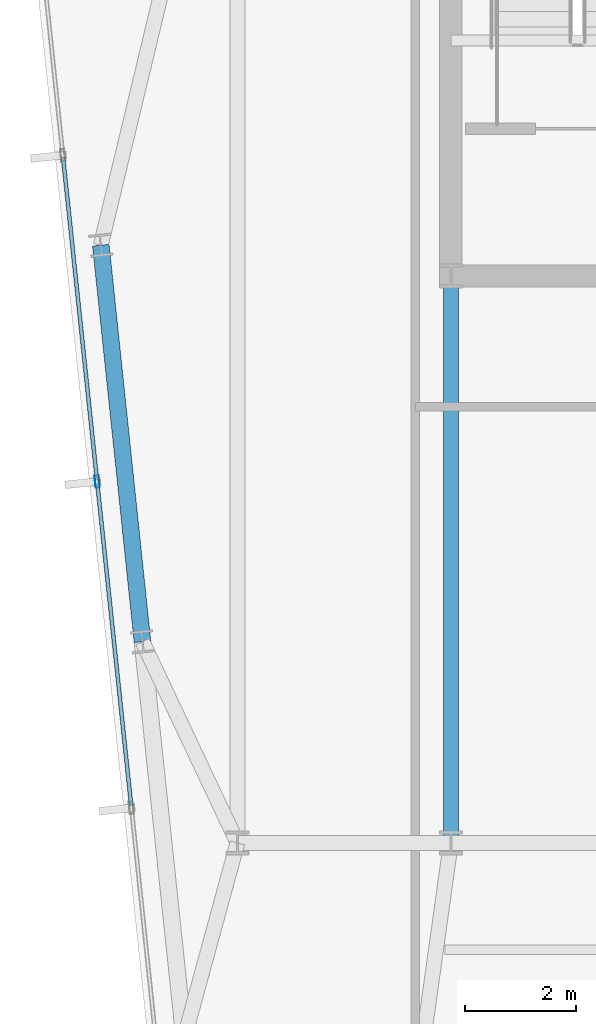
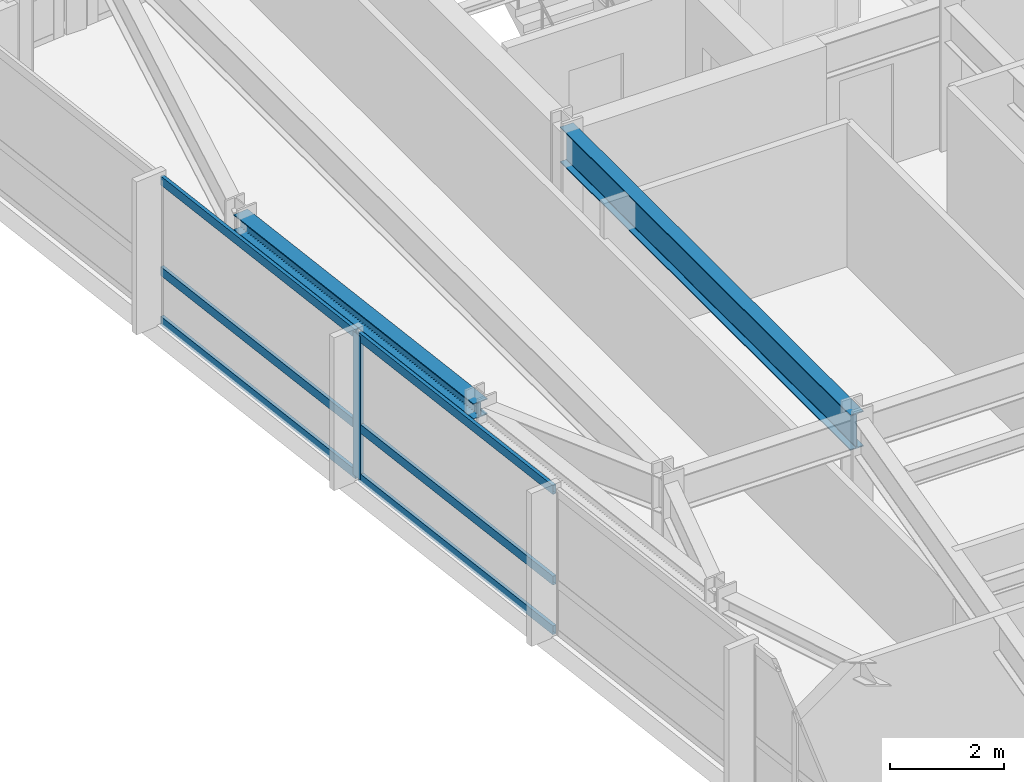
# One storey, part 6 of 26: 7 members, 2 beams, 1 element without a shape of its own.
"""IFC4 building model written with IfcOpenShell, lengths in metres."""

import ifcopenshell
import ifcopenshell.guid

model = None  # the IFC model being written
_history = None  # IfcOwnerHistory: only IFC2X3 demands one
_inside = {}  # id of a spatial element -> (the spatial element, [elements in it])
_under = {}  # id of a project, library or spatial element -> (it, [spatial elements below it])
_declared = {}  # id of a project -> (the project, [libraries it declares])
_typed = {}  # id of a type object -> (the type object, [elements of that type])
_made_of = {}  # id of a material, layer set ... -> (it, [elements and type objects made of it])


def new_model(schema):
    """Start an empty IFC model of exactly this schema.

    Asked for "IFC4X3", IfcOpenShell would pick the latest addendum, in which some entities
    have other attributes; the version numbers below select the first issue.
    IFC2X3 requires an IfcOwnerHistory on every rooted entity: one is made here for all.
    """
    global model, _history
    if schema == "IFC4X3":
        model = ifcopenshell.file(schema_version=(4, 3, 0, 0))
    else:
        model = ifcopenshell.file(schema=schema)
    _inside.clear()
    _under.clear()
    _declared.clear()
    _typed.clear()
    _made_of.clear()
    _history = None
    if model.schema == "IFC2X3":
        org = make("IfcOrganization", Name="unknown")
        user = make(
            "IfcPersonAndOrganization",
            ThePerson=make("IfcPerson", FamilyName="unknown"),
            TheOrganization=org,
        )
        app = make(
            "IfcApplication",
            ApplicationDeveloper=org,
            Version="unknown",
            ApplicationFullName="unknown",
            ApplicationIdentifier="unknown",
        )
        _history = make(
            "IfcOwnerHistory",
            OwningUser=user,
            OwningApplication=app,
            ChangeAction="ADDED",
            CreationDate=0,
        )
    return model


def make(cls, **values):
    """One entity of the class cls with the attributes given. An attribute that is None is left unset."""
    return model.create_entity(
        cls, **{name: value for name, value in values.items() if value is not None}
    )


def rooted(cls, **values):
    """An entity with a GlobalId (a new one), such as an element, a storey or a relation."""
    return make(cls, GlobalId=ifcopenshell.guid.new(), OwnerHistory=_history, **values)


def si_unit(unit_type, name, prefix=None):
    """IfcSIUnit, for example si_unit("LENGTHUNIT", "METRE", prefix="MILLI")."""
    return make("IfcSIUnit", UnitType=unit_type, Prefix=prefix, Name=name)


def assignment(units):
    """IfcUnitAssignment: the units of a project."""
    return None if units is None else make("IfcUnitAssignment", Units=units)


def point(xyz):
    """IfcCartesianPoint."""
    return None if xyz is None else make("IfcCartesianPoint", Coordinates=xyz)


def direction(xyz):
    """IfcDirection."""
    return None if xyz is None else make("IfcDirection", DirectionRatios=xyz)


def frame(location, z_axis=None, x_axis=None):
    """IfcAxis2Placement3D, a coordinate frame: its origin and axes. An axis left out is left unset."""
    return make(
        "IfcAxis2Placement3D",
        Location=point(location),
        Axis=direction(z_axis),
        RefDirection=direction(x_axis),
    )


def frame_2d(location, x_axis=None):
    """IfcAxis2Placement2D, a coordinate frame in the plane: its origin and x axis."""
    return make(
        "IfcAxis2Placement2D", Location=point(location), RefDirection=direction(x_axis)
    )


def origin():
    """The frame at (0, 0, 0) with its axes left unset."""
    return frame((0.0, 0.0, 0.0))


def origin_2d():
    """The frame at (0, 0) in the plane with its x axis left unset."""
    return frame_2d((0.0, 0.0))


def place(relative_to, where):
    """IfcLocalPlacement: puts the frame where relative to a parent placement (None: the world)."""
    return make(
        "IfcLocalPlacement", PlacementRelTo=relative_to, RelativePlacement=where
    )


def context(
    kind, dimensions, precision=None, world=None, true_north=None, identifier=None
):
    """IfcGeometricRepresentationContext, for example the 3D "Model" context."""
    return make(
        "IfcGeometricRepresentationContext",
        ContextIdentifier=identifier,
        ContextType=kind,
        CoordinateSpaceDimension=dimensions,
        Precision=precision,
        WorldCoordinateSystem=world,
        TrueNorth=true_north,
    )


def subcontext(parent, identifier, kind, view, scale=None):
    """IfcGeometricRepresentationSubContext, for example "Body" below "Model"."""
    return make(
        "IfcGeometricRepresentationSubContext",
        ContextIdentifier=identifier,
        ContextType=kind,
        ParentContext=parent,
        TargetScale=scale,
        TargetView=view,
    )


def project(units=None, contexts=None):
    """IfcProject with its units and contexts."""
    return rooted(
        "IfcProject",
        Name="project",
        RepresentationContexts=contexts,
        UnitsInContext=assignment(units),
    )


def spatial(cls, under=None, at=None, **own):
    """A site, building, storey or space (cls), placed at a placement, below another one or the project."""
    s = rooted(cls, ObjectPlacement=at, **own)
    if under is not None:
        _under.setdefault(under.id(), (under, []))[1].append(s)
    return s


def profile(cls, at=None, kind="AREA", **sizes):
    """A parametric profile (cls). Its sizes go by their IFC names, for example OverallWidth=200.0."""
    return make(cls, ProfileType=kind, Position=at, **sizes)


def hollow_rectangle(**sizes):
    """IfcRectangleHollowProfileDef."""
    return profile("IfcRectangleHollowProfileDef", **sizes)


def i_section(**sizes):
    """IfcIShapeProfileDef."""
    return profile("IfcIShapeProfileDef", **sizes)


def extrude(swept, where, along, depth):
    """IfcExtrudedAreaSolid: the profile swept, set in the frame where, extruded along a direction by depth."""
    return make(
        "IfcExtrudedAreaSolid",
        SweptArea=swept,
        Position=where,
        ExtrudedDirection=direction(along),
        Depth=depth,
    )


def shape(context_of_items, identifier, shape_type, items):
    """IfcShapeRepresentation: the items that make up one representation, for example the "Body"."""
    return make(
        "IfcShapeRepresentation",
        ContextOfItems=context_of_items,
        RepresentationIdentifier=identifier,
        RepresentationType=shape_type,
        Items=items,
    )


def material(Name=None, Category=None):
    """IfcMaterial."""
    return make("IfcMaterial", Name=Name, Category=Category)


def material_profile(
    of_material, cross_section, Name=None, Category=None, Priority=None
):
    """IfcMaterialProfile: a cross section and its material."""
    return make(
        "IfcMaterialProfile",
        Name=Name,
        Material=of_material,
        Profile=cross_section,
        Priority=Priority,
        Category=Category,
    )


def profile_set(profiles, Name=None, composite=None):
    """IfcMaterialProfileSet."""
    return make(
        "IfcMaterialProfileSet",
        Name=Name,
        MaterialProfiles=profiles,
        CompositeProfile=composite,
    )


def made_of(thing, what):
    """Note that an element or type object is made of a material, layer set ...; save() writes the relation."""
    if what is not None:
        _made_of.setdefault(what.id(), (what, []))[1].append(thing)
    return thing


def type_object(cls, material=None, **own):
    """A type object (cls), such as IfcWallType, which elements share."""
    return made_of(rooted(cls, **own), material)


def element(
    cls,
    number,
    at=None,
    inside=None,
    cuts=None,
    type_object=None,
    material=None,
    context=None,
    identifier="Body",
    shape_type=None,
    held_by="IfcProductDefinitionShape",
    body=None,
    shapes=None,
    **own,
):
    """One element of the class cls, such as IfcWall. Its Tag is "e" and its number.

    at: its placement. inside: the storey or other place that contains it. cuts: it is an
    opening in that element (IfcRelVoidsElement). A single representation is given by context,
    identifier, shape_type and body (its items); several are given by shapes. held_by: the class
    of the entity that holds the representations. save() writes the other relations.
    """
    e = rooted(cls, Tag="e%d" % number, ObjectPlacement=at, **own)
    if body is not None:
        shapes = [shape(context, identifier, shape_type, body)]
    if shapes is not None:
        e.Representation = make(held_by, Representations=shapes)
    if inside is not None:
        _inside.setdefault(inside.id(), (inside, []))[1].append(e)
    if cuts is not None:
        rooted(
            "IfcRelVoidsElement", RelatingBuildingElement=cuts, RelatedOpeningElement=e
        )
    if type_object is not None:
        _typed.setdefault(type_object.id(), (type_object, []))[1].append(e)
    return made_of(e, material)


def aggregate(whole, parts):
    """IfcRelAggregates: a whole, such as a stair, and the parts it consists of."""
    return rooted("IfcRelAggregates", RelatingObject=whole, RelatedObjects=parts)


def save(model, path):
    """Write the relations noted so far, then the file.

    IfcRelAggregates (storeys below a building ...), IfcRelContainedInSpatialStructure (elements
    in a storey), IfcRelDefinesByType, IfcRelAssociatesMaterial and IfcRelDeclares: one each for
    every whole, place, type object, material and project.
    """
    for whole, parts in _under.values():
        aggregate(whole, parts)
    for where, things in _inside.values():
        rooted(
            "IfcRelContainedInSpatialStructure",
            RelatedElements=things,
            RelatingStructure=where,
        )
    for kind, things in _typed.values():
        rooted("IfcRelDefinesByType", RelatedObjects=things, RelatingType=kind)
    for what, things in _made_of.values():
        rooted("IfcRelAssociatesMaterial", RelatedObjects=things, RelatingMaterial=what)
    for by, libraries in _declared.values():
        rooted("IfcRelDeclares", RelatingContext=by, RelatedDefinitions=libraries)
    model.write(path)


model = new_model("IFC4")

# Units and contexts
model_context = context("Model", 3, precision=1e-05, world=origin(), true_north=direction((0.0, 1.0)))
body_context = subcontext(model_context, "Body", "Model", "MODEL_VIEW")
ifc_project = project(units=[si_unit("LENGTHUNIT", "METRE"), si_unit("AREAUNIT", "SQUARE_METRE"), si_unit("VOLUMEUNIT", "CUBIC_METRE"), si_unit("PLANEANGLEUNIT", "RADIAN"), si_unit("MASSUNIT", "GRAM", prefix="KILO")], contexts=[model_context])

# Site, building, storey
site_placement = place(None, origin())
site = spatial("IfcSite", under=ifc_project, at=site_placement, CompositionType="ELEMENT")
building_placement = place(site_placement, origin())
building = spatial("IfcBuilding", under=site, at=building_placement, Name="Yelkora Congress Tower", CompositionType="ELEMENT")
storey_placement = place(building_placement, frame((0.0, 0.0, 204.5)))
storey = spatial("IfcBuildingStorey", under=building, at=storey_placement, Name="L56", CompositionType="ELEMENT", Elevation=204.5)

# Beams
ifc_material_1 = material(Name="Steel S355J2", Category="steel")
ifc_material_profile_1 = material_profile(ifc_material_1, i_section(OverallWidth=0.26708984375, OverallDepth=0.761962890625, WebThickness=0.014404296875, FlangeThickness=0.021484375, FilletRadius=0.01708984375, at=origin_2d()), Name="IPE 750x173")
ifc_profile_set_1 = profile_set([ifc_material_profile_1], Name="Steel S355J2")
beam_type_1 = type_object("IfcBeamType", Name="BM-GIRD-IPE750", PredefinedType="BEAM", material=ifc_profile_set_1)
beam_1_placement = place(storey_placement, frame((23.0400390625, 25.199951171875, 2.698974609375), z_axis=(0.0, 1.0, 0.0), x_axis=(-1.0, 0.0, 0.0)))
element("IfcBeam", 1, at=beam_1_placement, inside=storey, type_object=beam_type_1, Name="L56 Core Tie Girder MC-D1", PredefinedType="BEAM", context=body_context, shape_type="SweptSolid", body=[
    extrude(i_section(OverallWidth=0.26708984375, OverallDepth=0.761962890625, WebThickness=0.014404296875, FlangeThickness=0.021484375, FilletRadius=0.01708984375, at=origin_2d()), origin(), (0.0, 0.0, 1.0), 10.199951171875),
])
ifc_material_profile_2 = material_profile(ifc_material_1, i_section(OverallWidth=0.300048828125, OverallDepth=0.340087890625, WebThickness=0.011962890625, FlangeThickness=0.021484375, FilletRadius=0.027099609375, at=origin_2d()), Name="HEB 340")
ifc_profile_set_2 = profile_set([ifc_material_profile_2], Name="Steel S355J2")
beam_type_2 = type_object("IfcBeamType", Name="BM-SPAN-HEB340", PredefinedType="SPANDREL", material=ifc_profile_set_2)
beam_2_placement = place(storey_placement, frame((16.7412109375, 35.95458984375, 2.909912109375), z_axis=(0.104528914631, -0.994521847928, 0.0), x_axis=(0.994521847928, 0.104528914631, 0.0)))
element("IfcBeam", 2, at=beam_2_placement, inside=storey, type_object=beam_type_2, Name="L56 Perimeter Beam 17", PredefinedType="SPANDREL", context=body_context, shape_type="SweptSolid", body=[
    extrude(i_section(OverallWidth=0.300048828125, OverallDepth=0.340087890625, WebThickness=0.011962890625, FlangeThickness=0.021484375, FilletRadius=0.027099609375, at=origin_2d()), origin(), (0.0, 0.0, 1.0), 7.175048828125),
])

# Curtain wall, members
ifc_material_2 = material(Name="Anodised aluminium and insulated glass", Category="aluminium")
curtain_wall_type = type_object("IfcCurtainWallType", Name="CW-SYS-SKY", PredefinedType="NOTDEFINED", material=ifc_material_2)
curtain_wall_placement = place(storey_placement, origin())
curtain_wall = element("IfcCurtainWall", 3, at=curtain_wall_placement, inside=storey, type_object=curtain_wall_type, Name="L56 Unitised Curtain Wall 5", PredefinedType="NOTDEFINED")
ifc_material_3 = material(Name="Anodised aluminium 6063-T6", Category="aluminium")
ifc_material_profile_3 = material_profile(ifc_material_3, hollow_rectangle(XDim=0.074951171875, YDim=0.219970703125, WallThickness=0.0048828125, at=origin_2d()), Name="ALU 75x220x5")
ifc_profile_set_3 = profile_set([ifc_material_profile_3], Name="Anodised aluminium 6063-T6")
member_type_1 = type_object("IfcMemberType", Name="MEM-ML-SKY", PredefinedType="MULLION", material=ifc_profile_set_3)
member_1_placement = place(storey_placement, frame((16.67529296875, 31.701416015625, 0.0), z_axis=(0.0, 0.0, 1.0), x_axis=(-0.994522145958, -0.104526079034, 0.0)))
member_1 = element("IfcMember", 4, at=member_1_placement, type_object=member_type_1, Name="CW-SKY mullion 4", PredefinedType="MULLION", context=body_context, shape_type="SweptSolid", body=[
    extrude(hollow_rectangle(XDim=0.074951171875, YDim=0.219970703125, WallThickness=0.0048828125, at=origin_2d()), origin(), (0.0, 0.0, 1.0), 3.080078125),
])
ifc_material_profile_4 = material_profile(ifc_material_3, hollow_rectangle(XDim=0.070068359375, YDim=0.18994140625, WallThickness=0.00390625, at=origin_2d()), Name="ALU 70x190x4")
ifc_profile_set_4 = profile_set([ifc_material_profile_4], Name="Anodised aluminium 6063-T6")
member_type_2 = type_object("IfcMemberType", Name="MEM-TR-SKY", PredefinedType="USERDEFINED", material=ifc_profile_set_4)
member_2_placement = place(storey_placement, frame((17.28857421875, 25.8671875, 0.034912109375), z_axis=(-0.104545242946, 0.99452013161, 0.0), x_axis=(-0.99452013161, -0.104545242946, 0.0)))
member_2 = element("IfcMember", 5, at=member_2_placement, type_object=member_type_2, Name="CW-SKY transom 3.1", ObjectType="TRANSOM", PredefinedType="USERDEFINED", context=body_context, shape_type="SweptSolid", body=[
    extrude(hollow_rectangle(XDim=0.070068359375, YDim=0.18994140625, WallThickness=0.00390625, at=origin_2d()), origin(), (0.0, 0.0, 1.0), 5.828857421875),
])
member_3_placement = place(storey_placement, frame((17.28857421875, 25.8671875, 1.10009765625), z_axis=(-0.104545242946, 0.99452013161, 0.0), x_axis=(-0.99452013161, -0.104545242946, 0.0)))
member_3 = element("IfcMember", 6, at=member_3_placement, type_object=member_type_2, Name="CW-SKY transom 3.2", ObjectType="TRANSOM", PredefinedType="USERDEFINED", context=body_context, shape_type="SweptSolid", body=[
    extrude(hollow_rectangle(XDim=0.070068359375, YDim=0.18994140625, WallThickness=0.00390625, at=origin_2d()), origin(), (0.0, 0.0, 1.0), 5.828857421875),
])
member_4_placement = place(storey_placement, frame((17.28857421875, 25.8671875, 3.044921875), z_axis=(-0.104545242946, 0.99452013161, 0.0), x_axis=(-0.99452013161, -0.104545242946, 0.0)))
member_4 = element("IfcMember", 7, at=member_4_placement, type_object=member_type_2, Name="CW-SKY transom 3.3", ObjectType="TRANSOM", PredefinedType="USERDEFINED", context=body_context, shape_type="SweptSolid", body=[
    extrude(hollow_rectangle(XDim=0.070068359375, YDim=0.18994140625, WallThickness=0.00390625, at=origin_2d()), origin(), (0.0, 0.0, 1.0), 5.828857421875),
])
member_5_placement = place(storey_placement, frame((16.67138671875, 31.73876953125, 0.034912109375), z_axis=(-0.104503815352, 0.99452448566, 0.0), x_axis=(-0.99452448566, -0.104503815352, 0.0)))
member_5 = element("IfcMember", 8, at=member_5_placement, type_object=member_type_2, Name="CW-SKY transom 4.1", ObjectType="TRANSOM", PredefinedType="USERDEFINED", context=body_context, shape_type="SweptSolid", body=[
    extrude(hollow_rectangle(XDim=0.070068359375, YDim=0.18994140625, WallThickness=0.00390625, at=origin_2d()), origin(), (0.0, 0.0, 1.0), 5.828857421875),
])
member_6_placement = place(storey_placement, frame((16.67138671875, 31.73876953125, 1.10009765625), z_axis=(-0.104503815352, 0.99452448566, 0.0), x_axis=(-0.99452448566, -0.104503815352, 0.0)))
member_6 = element("IfcMember", 9, at=member_6_placement, type_object=member_type_2, Name="CW-SKY transom 4.2", ObjectType="TRANSOM", PredefinedType="USERDEFINED", context=body_context, shape_type="SweptSolid", body=[
    extrude(hollow_rectangle(XDim=0.070068359375, YDim=0.18994140625, WallThickness=0.00390625, at=origin_2d()), origin(), (0.0, 0.0, 1.0), 5.828857421875),
])
member_7_placement = place(storey_placement, frame((16.67138671875, 31.73876953125, 3.044921875), z_axis=(-0.104503815352, 0.99452448566, 0.0), x_axis=(-0.99452448566, -0.104503815352, 0.0)))
member_7 = element("IfcMember", 10, at=member_7_placement, type_object=member_type_2, Name="CW-SKY transom 4.3", ObjectType="TRANSOM", PredefinedType="USERDEFINED", context=body_context, shape_type="SweptSolid", body=[
    extrude(hollow_rectangle(XDim=0.070068359375, YDim=0.18994140625, WallThickness=0.00390625, at=origin_2d()), origin(), (0.0, 0.0, 1.0), 5.828857421875),
])
aggregate(curtain_wall, [member_1, member_2, member_3, member_4, member_5, member_6, member_7])

save(model, "model.ifc")
